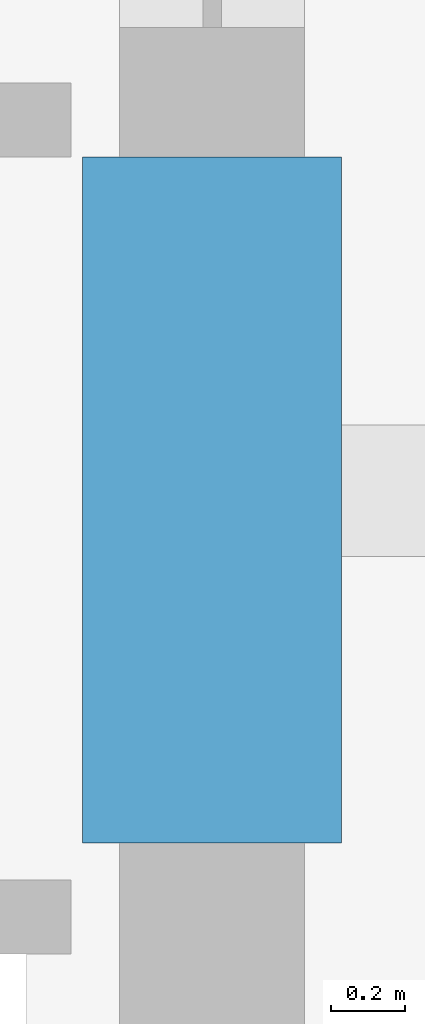
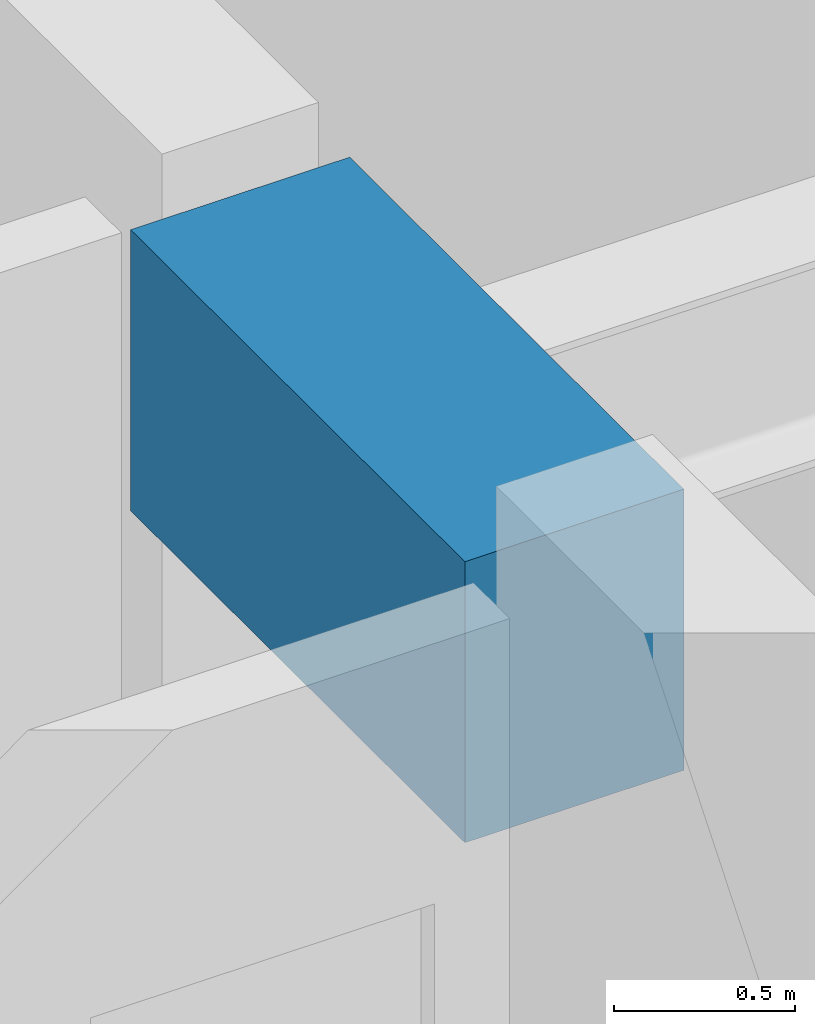
# One storey, part 10 of 36: 1 beam.
"""IFC4 building model written with IfcOpenShell, lengths in metres."""

from ifc_helpers import new_model, si_unit, direction, frame, origin, origin_2d, place, context, subcontext, project, spatial, rectangle, extrude, material, material_profile, profile_set, type_object, element, save


model = new_model("IFC4")

# Units and contexts
model_context = context("Model", 3, precision=1e-05, world=origin(), true_north=direction((0.0, 1.0)))
body_context = subcontext(model_context, "Body", "Model", "MODEL_VIEW")
ifc_project = project(units=[si_unit("LENGTHUNIT", "METRE"), si_unit("AREAUNIT", "SQUARE_METRE"), si_unit("VOLUMEUNIT", "CUBIC_METRE"), si_unit("PLANEANGLEUNIT", "RADIAN"), si_unit("MASSUNIT", "GRAM", prefix="KILO")], contexts=[model_context])

# Site, building, storey
site_placement = place(None, origin())
site = spatial("IfcSite", under=ifc_project, at=site_placement, CompositionType="ELEMENT")
building_placement = place(site_placement, origin())
building = spatial("IfcBuilding", under=site, at=building_placement, Name="Kolvaren Belvedere", CompositionType="ELEMENT")
storey_placement = place(building_placement, frame((0.0, 0.0, 196.5)))
storey = spatial("IfcBuildingStorey", under=building, at=storey_placement, Name="L57", CompositionType="ELEMENT", Elevation=196.5)

# Beam
ifc_material = material(Name="Concrete C60/75", Category="concrete")
ifc_material_profile = material_profile(ifc_material, rectangle(XDim=0.699951171875, YDim=0.949951171875, at=origin_2d()), Name="RC 700X950")
ifc_profile_set = profile_set([ifc_material_profile], Name="Concrete C60/75")
beam_type = type_object("IfcBeamType", Name="BM-LINT-950", PredefinedType="LINTEL", material=ifc_profile_set)
beam_placement = place(storey_placement, frame((9.89990234375, -5.550048828125, 2.60498046875), z_axis=(0.0, 1.0, 0.0), x_axis=(-1.0, 0.0, 0.0)))
element("IfcBeam", 1, at=beam_placement, inside=storey, type_object=beam_type, Name="L57 East Core Coupling Lintel", PredefinedType="LINTEL", context=body_context, shape_type="SweptSolid", body=[
    extrude(rectangle(XDim=0.699951171875, YDim=0.949951171875, at=origin_2d()), origin(), (0.0, 0.0, 1.0), 1.85009765625),
])

save(model, "model.ifc")
